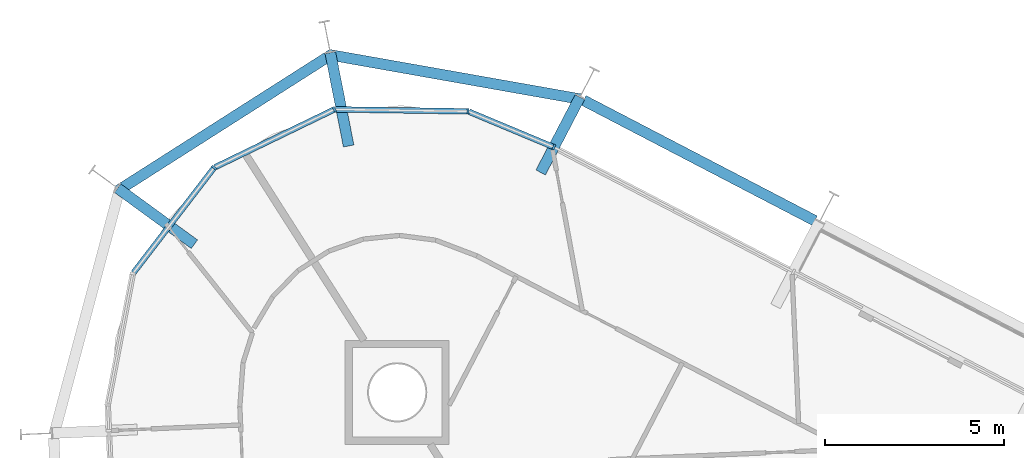
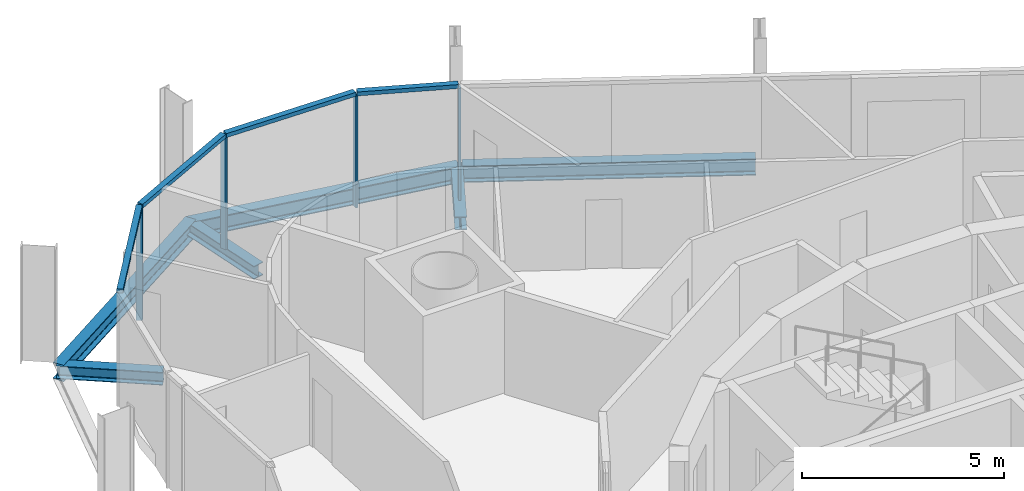
# One storey, part 8 of 17: 8 members, 6 beams, 1 element without a shape of its own.
"""IFC4 building model written with IfcOpenShell, lengths in metres."""

from ifc_helpers import new_model, si_unit, direction, frame, origin, origin_2d, place, context, subcontext, project, spatial, rectangle, i_section, extrude, material, layer, layer_set, material_profile, profile_set, type_object, element, aggregate, save


model = new_model("IFC4")

# Units and contexts
model_context = context("Model", 3, precision=1e-05, world=origin(), true_north=direction((0.0, 1.0)))
body_context = subcontext(model_context, "Body", "Model", "MODEL_VIEW")
ifc_project = project(units=[si_unit("LENGTHUNIT", "METRE"), si_unit("AREAUNIT", "SQUARE_METRE"), si_unit("VOLUMEUNIT", "CUBIC_METRE"), si_unit("PLANEANGLEUNIT", "RADIAN"), si_unit("MASSUNIT", "GRAM", prefix="KILO")], contexts=[model_context])

# Site, building, storey
site_placement = place(None, origin())
site = spatial("IfcSite", under=ifc_project, at=site_placement, CompositionType="ELEMENT")
building_placement = place(site_placement, origin())
building = spatial("IfcBuilding", under=site, at=building_placement, Name="Spindle Arch Residences", CompositionType="ELEMENT")
storey_placement = place(building_placement, frame((0.0, 0.0, 244.199951171875)))
storey = spatial("IfcBuildingStorey", under=building, at=storey_placement, Name="L62", CompositionType="ELEMENT", Elevation=244.199951171875)

# Curtain wall, members
ifc_material_1 = material(Name="Aluminium bronze unitised frame with tinted glass", Category="aluminium")
ifc_layer = layer(ifc_material_1, 0.159912109375)
ifc_layer_set = layer_set([ifc_layer], Name="CW-D corner wall on the fillet arcs")
curtain_wall_type = type_object("IfcCurtainWallType", Name="CW-D corner wall on the fillet arcs", PredefinedType="NOTDEFINED", material=ifc_layer_set)
curtain_wall_placement = place(storey_placement, origin())
curtain_wall = element("IfcCurtainWall", 1, at=curtain_wall_placement, inside=storey, type_object=curtain_wall_type, Name="CW-D L62 run 3", PredefinedType="NOTDEFINED")
ifc_material_2 = material(Name="Aluminium bronze anodised mullion", Category="aluminium")
ifc_material_profile_1 = material_profile(ifc_material_2, rectangle(XDim=0.159912109375, YDim=0.06005859375, at=origin_2d()), Name="MU 60x160")
ifc_profile_set_1 = profile_set([ifc_material_profile_1], Name="Aluminium bronze anodised mullion")
member_type_1 = type_object("IfcMemberType", Name="Bronze mullion 60x160", PredefinedType="MULLION", material=ifc_profile_set_1)
member_1_placement = place(storey_placement, frame((-6.19970703125, 23.423828125, -0.3798828125), z_axis=(0.0, 0.0, 1.0), x_axis=(-0.385552013734, -0.92268610302, 0.0)))
member_1 = element("IfcMember", 2, at=member_1_placement, type_object=member_type_1, Name="CW-D mullion 00", PredefinedType="MULLION", context=body_context, shape_type="SweptSolid", body=[
    extrude(rectangle(XDim=0.159912109375, YDim=0.06005859375, at=origin_2d()), origin(), (0.0, 0.0, 1.0), 3.3798828125),
])
member_2_placement = place(storey_placement, frame((-8.590576171875, 24.422607421875, -0.3798828125), z_axis=(0.0, 0.0, 1.0), x_axis=(-0.014543896145, -0.999894231949, 0.0)))
member_2 = element("IfcMember", 3, at=member_2_placement, type_object=member_type_1, Name="CW-D mullion 01", PredefinedType="MULLION", context=body_context, shape_type="SweptSolid", body=[
    extrude(rectangle(XDim=0.159912109375, YDim=0.06005859375, at=origin_2d()), origin(), (0.0, 0.0, 1.0), 3.3798828125),
])
member_3_placement = place(storey_placement, frame((-12.31689453125, 24.476806640625, -0.3798828125), z_axis=(0.0, 0.0, 1.0), x_axis=(0.435754815677, -0.900065409075, 0.0)))
member_3 = element("IfcMember", 4, at=member_3_placement, type_object=member_type_1, Name="CW-D mullion 02", PredefinedType="MULLION", context=body_context, shape_type="SweptSolid", body=[
    extrude(rectangle(XDim=0.159912109375, YDim=0.06005859375, at=origin_2d()), origin(), (0.0, 0.0, 1.0), 3.3798828125),
])
member_4_placement = place(storey_placement, frame((-15.671142578125, 22.85302734375, -0.3798828125), z_axis=(0.0, 0.0, 1.0), x_axis=(0.793353344679, -0.60876142329, 0.0)))
member_4 = element("IfcMember", 5, at=member_4_placement, type_object=member_type_1, Name="CW-D mullion 03", PredefinedType="MULLION", context=body_context, shape_type="SweptSolid", body=[
    extrude(rectangle(XDim=0.159912109375, YDim=0.06005859375, at=origin_2d()), origin(), (0.0, 0.0, 1.0), 3.3798828125),
])
ifc_material_3 = material(Name="Aluminium bronze anodised transom", Category="aluminium")
ifc_material_profile_2 = material_profile(ifc_material_3, rectangle(XDim=0.159912109375, YDim=0.1201171875, at=origin_2d()), Name="TR 120x160")
ifc_profile_set_2 = profile_set([ifc_material_profile_2], Name="Aluminium bronze anodised transom")
member_type_2 = type_object("IfcMemberType", Name="Bronze transom 120x160", PredefinedType="USERDEFINED", material=ifc_profile_set_2)
member_5_placement = place(storey_placement, frame((-6.2275390625, 23.435302734375, 3.06005859375), z_axis=(-0.922679730335, 0.385567264208, 0.0), x_axis=(-0.385567264208, -0.922679730335, 0.0)))
member_5 = element("IfcMember", 6, at=member_5_placement, type_object=member_type_2, Name="CW-D transom 00", ObjectType="TRANSOM", PredefinedType="USERDEFINED", context=body_context, shape_type="SweptSolid", body=[
    extrude(rectangle(XDim=0.159912109375, YDim=0.1201171875, at=origin_2d()), origin(), (0.0, 0.0, 1.0), 2.531005859375),
])
member_6_placement = place(storey_placement, frame((-8.620361328125, 24.423095703125, 3.06005859375), z_axis=(-0.999893692287, 0.014580950766, 0.0), x_axis=(-0.014580950766, -0.999893692287, 0.0)))
member_6 = element("IfcMember", 7, at=member_6_placement, type_object=member_type_2, Name="CW-D transom 01", ObjectType="TRANSOM", PredefinedType="USERDEFINED", context=body_context, shape_type="SweptSolid", body=[
    extrude(rectangle(XDim=0.159912109375, YDim=0.1201171875, at=origin_2d()), origin(), (0.0, 0.0, 1.0), 3.6669921875),
])
member_7_placement = place(storey_placement, frame((-12.34375, 24.4638671875, 3.06005859375), z_axis=(-0.900053962869, -0.435778457388, 0.0), x_axis=(0.435778457388, -0.900053962869, 0.0)))
member_7 = element("IfcMember", 8, at=member_7_placement, type_object=member_type_2, Name="CW-D transom 02", ObjectType="TRANSOM", PredefinedType="USERDEFINED", context=body_context, shape_type="SweptSolid", body=[
    extrude(rectangle(XDim=0.159912109375, YDim=0.1201171875, at=origin_2d()), origin(), (0.0, 0.0, 1.0), 3.666748046875),
])
member_8_placement = place(storey_placement, frame((-15.689453125, 22.8291015625, 3.06005859375), z_axis=(-0.608773956943, -0.793343727112, 0.0), x_axis=(0.793343727112, -0.608773956943, 0.0)))
member_8 = element("IfcMember", 9, at=member_8_placement, type_object=member_type_2, Name="CW-D transom 03", ObjectType="TRANSOM", PredefinedType="USERDEFINED", context=body_context, shape_type="SweptSolid", body=[
    extrude(rectangle(XDim=0.159912109375, YDim=0.1201171875, at=origin_2d()), origin(), (0.0, 0.0, 1.0), 3.666748046875),
])
aggregate(curtain_wall, [member_1, member_5, member_2, member_6, member_3, member_7, member_4, member_8])

# Beams
ifc_material_4 = material(Name="Steel S460ML, intumescent coating R 120", Category="steel")
ifc_material_profile_3 = material_profile(ifc_material_4, i_section(OverallWidth=0.300048828125, OverallDepth=0.5, WebThickness=0.014404296875, FlangeThickness=0.028076171875, FilletRadius=0.027099609375, at=origin_2d()), Name="HEB 500")
ifc_profile_set_3 = profile_set([ifc_material_profile_3], Name="Steel S460ML, intumescent coating R 120")
beam_type_1 = type_object("IfcBeamType", Name="Exoskeleton edge beam HEB 500", PredefinedType="BEAM", material=ifc_profile_set_3)
beam_1_placement = place(storey_placement, frame((1.0751953125, 21.372802734375, -0.6298828125), z_axis=(-0.887007222688, 0.461755548857, 0.0), x_axis=(-0.461755548857, -0.887007222688, 0.0)))
element("IfcBeam", 10, at=beam_1_placement, inside=storey, type_object=beam_type_1, Name="Exoskeleton edge beam 9", PredefinedType="BEAM", context=body_context, shape_type="SweptSolid", body=[
    extrude(i_section(OverallWidth=0.300048828125, OverallDepth=0.5, WebThickness=0.014404296875, FlangeThickness=0.028076171875, FilletRadius=0.027099609375, at=origin_2d()), origin(), (0.0, 0.0, 1.0), 7.27001953125),
])
beam_2_placement = place(storey_placement, frame((-5.46337890625, 24.762939453125, -0.6298828125), z_axis=(-0.984720537274, 0.174142078404, 0.0), x_axis=(-0.174142078404, -0.984720537274, 0.0)))
element("IfcBeam", 11, at=beam_2_placement, inside=storey, type_object=beam_type_1, Name="Exoskeleton edge beam 10", PredefinedType="BEAM", context=body_context, shape_type="SweptSolid", body=[
    extrude(i_section(OverallWidth=0.300048828125, OverallDepth=0.5, WebThickness=0.014404296875, FlangeThickness=0.028076171875, FilletRadius=0.027099609375, at=origin_2d()), origin(), (0.0, 0.0, 1.0), 7.105224609375),
])
beam_3_placement = place(storey_placement, frame((-12.371337890625, 26.0234375, -0.6298828125), z_axis=(-0.843392249939, -0.537298346119, 0.0), x_axis=(0.537298346119, -0.843392249939, 0.0)))
element("IfcBeam", 12, at=beam_3_placement, inside=storey, type_object=beam_type_1, Name="Exoskeleton edge beam 11", PredefinedType="BEAM", context=body_context, shape_type="SweptSolid", body=[
    extrude(i_section(OverallWidth=0.300048828125, OverallDepth=0.5, WebThickness=0.014404296875, FlangeThickness=0.028076171875, FilletRadius=0.027099609375, at=origin_2d()), origin(), (0.0, 0.0, 1.0), 7.09716796875),
])
ifc_material_5 = material(Name="Steel S460ML, intumescent coating R 120", Category="steel")
ifc_material_profile_4 = material_profile(ifc_material_5, i_section(OverallWidth=0.300048828125, OverallDepth=0.389892578125, WebThickness=0.010986328125, FlangeThickness=0.01904296875, FilletRadius=0.027099609375, at=origin_2d()), Name="HEA 400")
ifc_profile_set_4 = profile_set([ifc_material_profile_4], Name="Steel S460ML, intumescent coating R 120")
beam_type_2 = type_object("IfcBeamType", Name="Floor outrigger HEA 400", PredefinedType="BEAM", material=ifc_profile_set_4)
beam_4_placement = place(storey_placement, frame((-5.474853515625, 24.81640625, -0.574951171875), z_axis=(-0.46171971426, -0.887025876434, 0.0), x_axis=(0.887025876434, -0.46171971426, 0.0)))
element("IfcBeam", 13, at=beam_4_placement, inside=storey, type_object=beam_type_2, Name="Floor outrigger 10", PredefinedType="BEAM", context=body_context, shape_type="SweptSolid", body=[
    extrude(i_section(OverallWidth=0.300048828125, OverallDepth=0.389892578125, WebThickness=0.010986328125, FlangeThickness=0.01904296875, FilletRadius=0.027099609375, at=origin_2d()), origin(), (0.0, 0.0, 1.0), 2.36669921875),
])
beam_5_placement = place(storey_placement, frame((-12.4326171875, 26.056640625, -0.574951171875), z_axis=(0.193191977973, -0.981160975399, 0.0), x_axis=(0.981160975399, 0.193191977973, 0.0)))
element("IfcBeam", 14, at=beam_5_placement, inside=storey, type_object=beam_type_2, Name="Floor outrigger 11", PredefinedType="BEAM", context=body_context, shape_type="SweptSolid", body=[
    extrude(i_section(OverallWidth=0.300048828125, OverallDepth=0.389892578125, WebThickness=0.010986328125, FlangeThickness=0.01904296875, FilletRadius=0.027099609375, at=origin_2d()), origin(), (0.0, 0.0, 1.0), 2.64990234375),
])
beam_6_placement = place(storey_placement, frame((-18.361083984375, 22.27978515625, -0.574951171875), z_axis=(0.807563254959, -0.589780967174, 0.0), x_axis=(0.589780967174, 0.807563254959, 0.0)))
element("IfcBeam", 15, at=beam_6_placement, inside=storey, type_object=beam_type_2, Name="Floor outrigger 12", PredefinedType="BEAM", context=body_context, shape_type="SweptSolid", body=[
    extrude(i_section(OverallWidth=0.300048828125, OverallDepth=0.389892578125, WebThickness=0.010986328125, FlangeThickness=0.01904296875, FilletRadius=0.027099609375, at=origin_2d()), origin(), (0.0, 0.0, 1.0), 2.650146484375),
])

save(model, "model.ifc")
